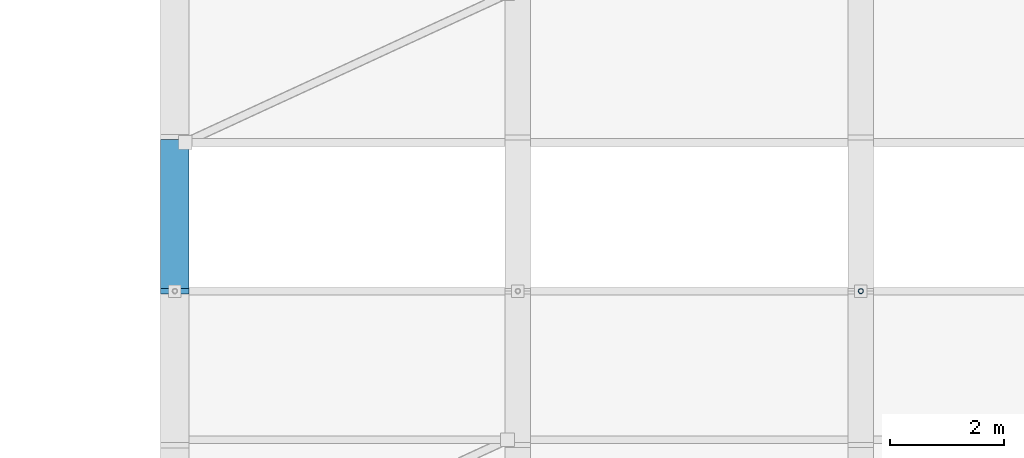
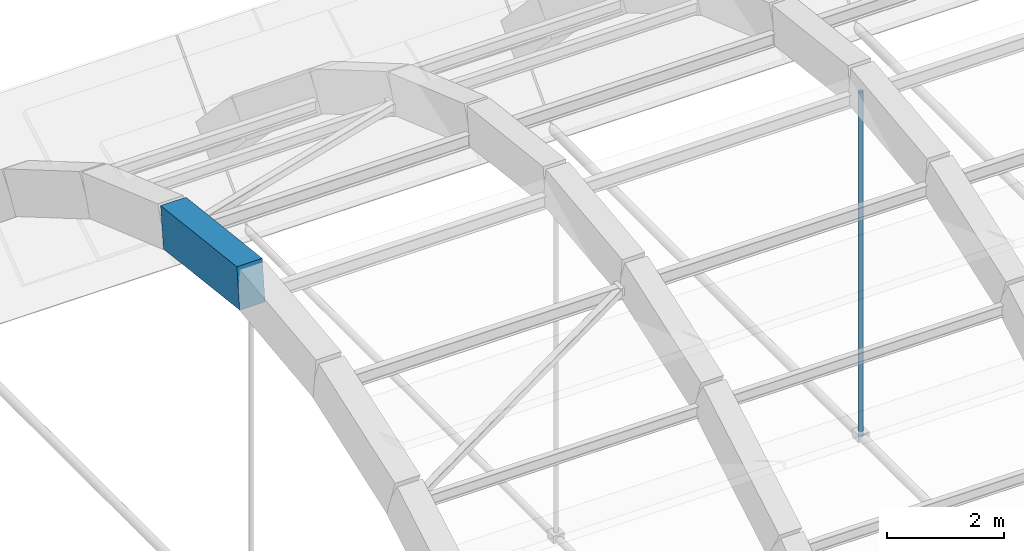
# One storey, part 26 of 123: 1 beam, 1 member.
"""IFC4 building model written with IfcOpenShell, lengths in metres."""

from ifc_helpers import new_model, si_unit, direction, frame, origin, origin_2d, place, context, subcontext, project, spatial, rectangle, hollow_circle, extrude, material, material_profile, profile_set, type_object, element, save


model = new_model("IFC4")

# Units and contexts
model_context = context("Model", 3, precision=1e-05, world=origin(), true_north=direction((0.0, 1.0)))
body_context = subcontext(model_context, "Body", "Model", "MODEL_VIEW")
ifc_project = project(units=[si_unit("LENGTHUNIT", "METRE"), si_unit("AREAUNIT", "SQUARE_METRE"), si_unit("VOLUMEUNIT", "CUBIC_METRE"), si_unit("PLANEANGLEUNIT", "RADIAN"), si_unit("MASSUNIT", "GRAM", prefix="KILO"), si_unit("POWERUNIT", "WATT"), si_unit("THERMODYNAMICTEMPERATUREUNIT", "KELVIN")], contexts=[model_context])

# Site, building, storey
site_placement = place(None, origin())
site = spatial("IfcSite", under=ifc_project, at=site_placement, CompositionType="ELEMENT")
building_placement = place(site_placement, origin())
building = spatial("IfcBuilding", under=site, at=building_placement, Name="Ruvembo Vaulted Housing Court", CompositionType="ELEMENT")
storey_placement = place(building_placement, frame((0.0, 0.0, 7.699951171875)))
storey = spatial("IfcBuildingStorey", under=building, at=storey_placement, Name="L02", CompositionType="ELEMENT", Elevation=7.699951171875)

# Beam
ifc_material_1 = material(Name="Concrete C35/45", Category="concrete")
ifc_material_profile_1 = material_profile(ifc_material_1, rectangle(XDim=0.5, YDim=0.85009765625, at=origin_2d()), Name="RC 500x850")
ifc_profile_set_1 = profile_set([ifc_material_profile_1], Name="Concrete C35/45")
beam_type = type_object("IfcBeamType", Name="AR-RC-500x850", PredefinedType="BEAM", material=ifc_profile_set_1)
beam_placement = place(storey_placement, frame((66.0, 55.0, 6.10009765625), z_axis=(0.0, 0.993236276414, -0.116110719637), x_axis=(-1.0, 0.0, 0.0)))
element("IfcBeam", 1, at=beam_placement, inside=storey, type_object=beam_type, Name="Community Hall Parabolic Arch Rib AR-01 Seg 6", PredefinedType="BEAM", context=body_context, shape_type="SweptSolid", body=[
    extrude(rectangle(XDim=0.5, YDim=0.85009765625, at=origin_2d()), origin(), (0.0, 0.0, 1.0), 2.617919921875),
])

# Member
ifc_material_2 = material(Name="Steel S355J2", Category="steel")
ifc_material_profile_2 = material_profile(ifc_material_2, hollow_circle(Radius=0.04443359375, WallThickness=0.0048828125, at=origin_2d()), Name="CHS 88.9x5")
ifc_profile_set_2 = profile_set([ifc_material_profile_2], Name="Steel S355J2")
member_type = type_object("IfcMemberType", Name="MEM-HGR-CHS89", PredefinedType="STRUT", material=ifc_profile_set_2)
member_placement = place(storey_placement, frame((78.0, 55.0, -1.25), z_axis=(0.0, 0.0, 1.0), x_axis=(1.0, 0.0, 0.0)))
element("IfcMember", 2, at=member_placement, inside=storey, type_object=member_type, Name="Vault Crown Hanger Rod VH-03", PredefinedType="STRUT", context=body_context, shape_type="SweptSolid", body=[
    extrude(hollow_circle(Radius=0.04443359375, WallThickness=0.0048828125, at=origin_2d()), origin(), (0.0, 0.0, 1.0), 7.170166015625),
])

save(model, "model.ifc")
